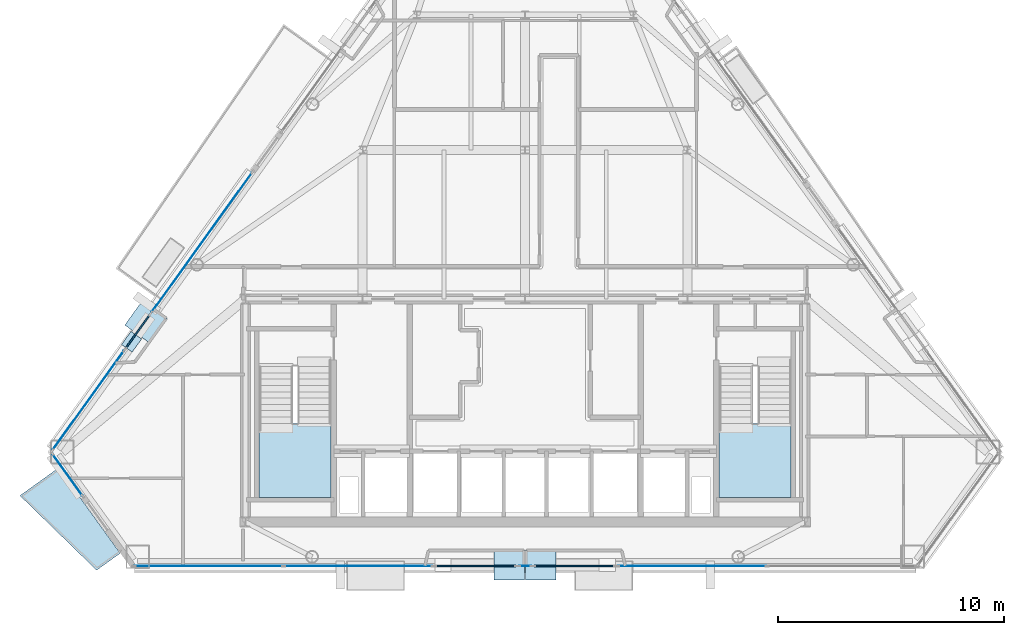
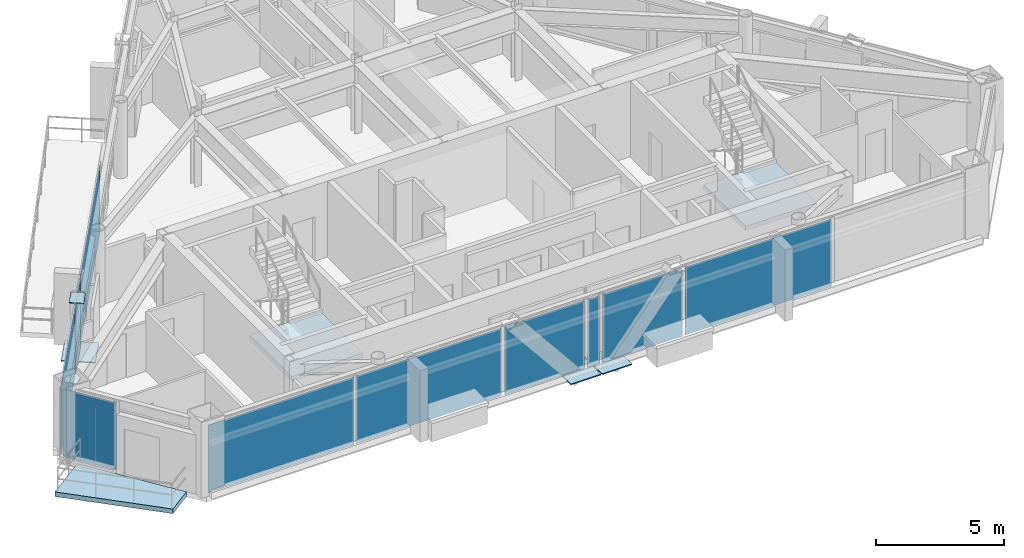
# One storey, part 6 of 12: 14 plates, 3 slabs, 11 elements without a shape of their own.
"""IFC4 building model written with IfcOpenShell, lengths in metres."""

from ifc_helpers import new_model, si_unit, direction, frame, origin, origin_2d, place, context, subcontext, project, spatial, polyline, rectangle, outline, extrude, source, transform, mapped, material, layer, layer_set, type_object, type_shapes, element, aggregate, save


model = new_model("IFC4")

# Units and contexts
model_context = context("Model", 3, precision=1e-05, world=origin(), true_north=direction((0.0, 1.0)))
body_context = subcontext(model_context, "Body", "Model", "MODEL_VIEW")
ifc_project = project(units=[si_unit("LENGTHUNIT", "METRE"), si_unit("AREAUNIT", "SQUARE_METRE"), si_unit("VOLUMEUNIT", "CUBIC_METRE"), si_unit("PLANEANGLEUNIT", "RADIAN"), si_unit("MASSUNIT", "GRAM", prefix="KILO")], contexts=[model_context])

# Site, building, storey
site_placement = place(None, origin())
site = spatial("IfcSite", under=ifc_project, at=site_placement, CompositionType="ELEMENT")
building_placement = place(site_placement, origin())
building = spatial("IfcBuilding", under=site, at=building_placement, Name="Talgorran Terracotta Tower", CompositionType="ELEMENT")
storey_placement = place(building_placement, frame((0.0, 0.0, 189.300048828125)))
storey = spatial("IfcBuildingStorey", under=building, at=storey_placement, Name="L49", CompositionType="ELEMENT", Elevation=189.300048828125)

# Plates
ifc_material_1 = material(Name="Steel Grade 350 (350L0)", Category="steel")
ifc_layer_1 = layer(ifc_material_1, 0.031982421875, Name="PL_CAP_MN07")
ifc_layer_set_1 = layer_set([ifc_layer_1], Name="Steel Grade 350 (350L0)")
plate_type_1 = type_object("IfcPlateType", Name="PL_CAP_MN07", PredefinedType="USERDEFINED", material=ifc_layer_set_1)
plate_1_placement = place(storey_placement, frame((-17.449462890625, -6.1015625, 3.32373046875), z_axis=(0.0, 0.0, 1.0), x_axis=(-0.583966337286, -0.811777874123, 0.0)))
element("IfcPlate", 1, at=plate_1_placement, inside=storey, type_object=plate_type_1, Name="L49 Diagonal Frame End Cap NWL Top", ObjectType="CAP PLATE", PredefinedType="USERDEFINED", context=body_context, shape_type="SweptSolid", body=[
    extrude(rectangle(XDim=0.719970703125, YDim=0.580078125, at=origin_2d()), origin(), (0.0, 0.0, 1.0), 0.031982421875),
])
ifc_layer_2 = layer(ifc_material_1, 0.050048828125, Name="PL_NODE_MN03")
ifc_layer_set_2 = layer_set([ifc_layer_2], Name="Steel Grade 350 (350L0)")
plate_type_2 = type_object("IfcPlateType", Name="PL_NODE_MN03", PredefinedType="USERDEFINED", material=ifc_layer_set_2)
for number, where, z_axis, x_axis, name in (
    (2, (-0.694580078125, -16.001220703125, -0.01513671875), (0.0, 0.0, 1.0), (-1.0, 0.0, 0.0), "L49 Diagonal Frame End Cap SWF Bot"),
    (3, (0.694580078125, -16.001220703125, -0.01513671875), (0.0, 0.0, 1.0), (1.0, 0.0, 0.0), "L49 Diagonal Frame End Cap SEF Bot"),
    (4, (-16.80810546875, -5.210205078125, -0.01513671875), (0.0, 0.0, 1.0), (-0.583966337286, -0.811777874123, 0.0), "L49 Diagonal Frame End Cap NWL Bot"),
):
    element("IfcPlate", number, at=place(storey_placement, frame(where, z_axis=z_axis, x_axis=x_axis)), inside=storey, type_object=plate_type_2, Name=name, ObjectType="NODE PLATE", PredefinedType="USERDEFINED", context=body_context, shape_type="SweptSolid", body=[
        extrude(rectangle(XDim=1.35009765625, YDim=1.35009765625, at=origin_2d()), origin(), (0.0, 0.0, 1.0), 0.050048828125),
    ])

# Slab
ifc_material_2 = material(Name="Concrete C40/50", Category="concrete")
ifc_layer_3 = layer(ifc_material_2, 0.219970703125, Name="SL_BALCONY_220")
ifc_layer_set_3 = layer_set([ifc_layer_3], Name="Concrete C40/50")
slab_type_1 = type_object("IfcSlabType", Name="SL_BALCONY_220", PredefinedType="FLOOR", material=ifc_layer_set_3)
slab_1_placement = place(storey_placement, frame((0.0, 0.0, -0.219970703125)))
element("IfcSlab", 5, at=slab_1_placement, inside=storey, type_object=slab_type_1, Name="L49 Outdoor Wave Balcony BAL-SW", PredefinedType="FLOOR", context=body_context, shape_type="SweptSolid", body=[
    extrude(outline(polyline([(-17.95458984375, -15.47998046875), (-20.680419921875, -11.69091796875), (-22.396240234375, -12.925048828125), (-18.99951171875, -16.2314453125), (-17.95458984375, -15.47998046875)])), origin(), (0.0, 0.0, 1.0), 0.219970703125),
])

# Stair, slab
stair_type = type_object("IfcStairType", Name="ST_FIRE_SCISSOR", PredefinedType="HALF_TURN_STAIR", material=ifc_material_2)
stair_1_placement = place(storey_placement, origin())
stair_1 = element("IfcStair", 6, at=stair_1_placement, inside=storey, type_object=stair_type, Name="L49 West Protected Fire Stair ST-01", PredefinedType="HALF_TURN_STAIR")
ifc_layer_4 = layer(ifc_material_2, 0.199951171875, Name="SL_LANDING_200")
ifc_layer_set_4 = layer_set([ifc_layer_4], Name="Concrete C40/50")
slab_type_2 = type_object("IfcSlabType", Name="SL_LANDING_200", PredefinedType="LANDING", material=ifc_layer_set_4)
slab_2_placement = place(storey_placement, frame((0.0, 0.0, 1.599853515625)))
slab_2 = element("IfcSlab", 7, at=slab_2_placement, type_object=slab_type_2, Name="ST-01 landing 1", PredefinedType="LANDING", context=body_context, shape_type="SweptSolid", body=[
    extrude(outline(polyline([(-11.800048828125, -9.719970703125), (-11.800048828125, -13.0), (-8.60009765625, -13.0), (-8.60009765625, -9.719970703125), (-11.800048828125, -9.719970703125)])), origin(), (0.0, 0.0, 1.0), 0.2001953125),
])
aggregate(stair_1, [slab_2])

stair_2_placement = place(storey_placement, origin())
stair_2 = element("IfcStair", 8, at=stair_2_placement, inside=storey, type_object=stair_type, Name="L49 East Protected Fire Stair ST-02", PredefinedType="HALF_TURN_STAIR")
slab_3_placement = place(storey_placement, frame((0.0, 0.0, 1.599853515625)))
slab_3 = element("IfcSlab", 9, at=slab_3_placement, type_object=slab_type_2, Name="ST-02 landing 1", PredefinedType="LANDING", context=body_context, shape_type="SweptSolid", body=[
    extrude(outline(polyline([(8.60009765625, -9.719970703125), (8.60009765625, -13.0), (11.800048828125, -13.0), (11.800048828125, -9.719970703125), (8.60009765625, -9.719970703125)])), origin(), (0.0, 0.0, 1.0), 0.2001953125),
])
aggregate(stair_2, [slab_3])

# Curtain wall, plate
ifc_material_3 = material(Name="High-Wind Unitised Glazing", Category="glass")
ifc_layer_5 = layer(ifc_material_3, 0.2099609375, Name="CW_SYS3_RES_HIGH")
ifc_layer_set_5 = layer_set([ifc_layer_5], Name="High-Wind Unitised Glazing")
curtain_wall_type = type_object("IfcCurtainWallType", Name="CW_SYS3_RES_HIGH", PredefinedType="NOTDEFINED", material=ifc_layer_set_5)
curtain_wall_1_placement = place(storey_placement, origin())
curtain_wall_1 = element("IfcCurtainWall", 10, at=curtain_wall_1_placement, inside=storey, type_object=curtain_wall_type, Name="CW-L49-F10", PredefinedType="NOTDEFINED")
ifc_material_4 = material(Name="High-Wind Acoustic Vision Glass", Category="glass")
ifc_layer_6 = layer(ifc_material_4, 0.031982421875, Name="PLT_VISION_32")
ifc_layer_set_6 = layer_set([ifc_layer_6], Name="High-Wind Acoustic Vision Glass")
plate_type_3 = type_object("IfcPlateType", Name="PLT_VISION_32", PredefinedType="CURTAIN_PANEL", material=ifc_layer_set_6)
shared_shape_1 = source(origin(), body_context, "Body", "SweptSolid", [
    extrude(rectangle(XDim=2.255126953125, YDim=0.031982421875, at=origin_2d()), origin(), (0.0, 0.0, 1.0), 3.2099609375),
])
plate_2_placement = place(storey_placement, frame((-20.294189453125, -11.996826171875, 0.070068359375), z_axis=(0.0, 0.0, 1.0), x_axis=(0.583975814679, -0.811771056314, 0.0)))
plate_2 = element("IfcPlate", 11, at=plate_2_placement, type_object=plate_type_3, Name="CW-L49-10 panel 1.1", PredefinedType="CURTAIN_PANEL", context=body_context, shape_type="MappedRepresentation", body=[
    mapped(shared_shape_1, transform((0.0, 0.0, 0.0), scale=1.0)),
])
aggregate(curtain_wall_1, [plate_2])

# Curtain wall, plates
curtain_wall_2_placement = place(storey_placement, origin())
curtain_wall_2 = element("IfcCurtainWall", 12, at=curtain_wall_2_placement, inside=storey, type_object=curtain_wall_type, Name="CW-L49-F1", PredefinedType="NOTDEFINED")
shared_shape_2 = source(origin(), body_context, "Body", "SweptSolid", [
    extrude(rectangle(XDim=6.558349609375, YDim=0.031982421875, at=origin_2d()), origin(), (0.0, 0.0, 1.0), 3.2099609375),
])
plate_3_placement = place(storey_placement, frame((-14.03564453125, -16.041015625, 0.070068359375), z_axis=(0.0, 0.0, 1.0), x_axis=(1.0, 0.0, 0.0)))
plate_3 = element("IfcPlate", 13, at=plate_3_placement, type_object=plate_type_3, Name="CW-L49-1 panel 1.1", PredefinedType="CURTAIN_PANEL", context=body_context, shape_type="MappedRepresentation", body=[
    mapped(shared_shape_2, transform((0.0, 0.0, 0.0), scale=1.0)),
])
plate_4_placement = place(storey_placement, frame((-7.4072265625, -16.041015625, 0.070068359375), z_axis=(0.0, 0.0, 1.0), x_axis=(1.0, 0.0, 0.0)))
plate_4 = element("IfcPlate", 14, at=plate_4_placement, type_object=plate_type_3, Name="CW-L49-1 panel 2.1", PredefinedType="CURTAIN_PANEL", context=body_context, shape_type="MappedRepresentation", body=[
    mapped(shared_shape_2, transform((0.0, 0.0, 0.0), scale=1.0)),
])
aggregate(curtain_wall_2, [plate_3, plate_4])

# Curtain wall, plate
curtain_wall_3_placement = place(storey_placement, origin())
curtain_wall_3 = element("IfcCurtainWall", 15, at=curtain_wall_3_placement, inside=storey, type_object=curtain_wall_type, Name="CW-L49-F1E", PredefinedType="NOTDEFINED")
plate_5_placement = place(storey_placement, frame((7.4072265625, -16.041015625, 0.070068359375), z_axis=(0.0, 0.0, 1.0), x_axis=(1.0, 0.0, 0.0)))
plate_5 = element("IfcPlate", 16, at=plate_5_placement, type_object=plate_type_3, Name="CW-L49-1E panel 1.1", PredefinedType="CURTAIN_PANEL", context=body_context, shape_type="MappedRepresentation", body=[
    mapped(shared_shape_2, transform((0.0, 0.0, 0.0), scale=1.0)),
])
aggregate(curtain_wall_3, [plate_5])

curtain_wall_4_placement = place(storey_placement, origin())
curtain_wall_4 = element("IfcCurtainWall", 17, at=curtain_wall_4_placement, inside=storey, type_object=curtain_wall_type, Name="CW-L49-F1B", PredefinedType="NOTDEFINED")
ifc_material_5 = material(Name="Terracotta Insulated Spandrel", Category="masonry")
ifc_layer_7 = layer(ifc_material_5, 0.06494140625, Name="PLT_SPANDREL_TERRA")
ifc_layer_set_7 = layer_set([ifc_layer_7], Name="Terracotta Insulated Spandrel")
plate_type_4 = type_object("IfcPlateType", Name="PLT_SPANDREL_TERRA", PredefinedType="SHEET", material=ifc_layer_set_7)
shared_shape_3 = source(origin(), body_context, "Body", "SweptSolid", [
    extrude(rectangle(XDim=3.564453125, YDim=0.06494140625, at=origin_2d()), origin(), (0.0, 0.0, 1.0), 3.2099609375),
])
plate_6_placement = place(storey_placement, frame((-2.19580078125, -16.041015625, 0.070068359375), z_axis=(0.0, 0.0, 1.0), x_axis=(1.0, 0.0, 0.0)))
plate_6 = element("IfcPlate", 18, at=plate_6_placement, type_object=plate_type_4, Name="CW-L49-1B panel 1.1", PredefinedType="CURTAIN_PANEL", context=body_context, shape_type="MappedRepresentation", body=[
    mapped(shared_shape_3, transform((0.0, 0.0, 0.0), scale=1.0)),
])
aggregate(curtain_wall_4, [plate_6])

curtain_wall_5_placement = place(storey_placement, origin())
curtain_wall_5 = element("IfcCurtainWall", 19, at=curtain_wall_5_placement, inside=storey, type_object=curtain_wall_type, Name="CW-L49-F1D", PredefinedType="NOTDEFINED")
plate_7_placement = place(storey_placement, frame((2.19580078125, -16.041015625, 0.070068359375), z_axis=(0.0, 0.0, 1.0), x_axis=(1.0, 0.0, 0.0)))
plate_7 = element("IfcPlate", 20, at=plate_7_placement, type_object=plate_type_4, Name="CW-L49-1D panel 1.1", PredefinedType="CURTAIN_PANEL", context=body_context, shape_type="MappedRepresentation", body=[
    mapped(shared_shape_3, transform((0.0, 0.0, 0.0), scale=1.0)),
])
aggregate(curtain_wall_5, [plate_7])

curtain_wall_6_placement = place(storey_placement, origin())
curtain_wall_6 = element("IfcCurtainWall", 21, at=curtain_wall_6_placement, inside=storey, type_object=curtain_wall_type, Name="CW-L49-F1C", PredefinedType="NOTDEFINED")
shared_shape_4 = source(origin(), body_context, "Body", "SweptSolid", [
    extrude(rectangle(XDim=0.527099609375, YDim=0.031982421875, at=origin_2d()), origin(), (0.0, 0.0, 1.0), 3.2099609375),
])
plate_8_placement = place(storey_placement, frame((0.0, -16.041015625, 0.070068359375), z_axis=(0.0, 0.0, 1.0), x_axis=(1.0, 0.0, 0.0)))
plate_8 = element("IfcPlate", 22, at=plate_8_placement, type_object=plate_type_3, Name="CW-L49-1C panel 1.1", PredefinedType="CURTAIN_PANEL", context=body_context, shape_type="MappedRepresentation", body=[
    mapped(shared_shape_4, transform((0.0, 0.0, 0.0), scale=1.0)),
])
aggregate(curtain_wall_6, [plate_8])

curtain_wall_7_placement = place(storey_placement, origin())
curtain_wall_7 = element("IfcCurtainWall", 23, at=curtain_wall_7_placement, inside=storey, type_object=curtain_wall_type, Name="CW-L49-F61C", PredefinedType="NOTDEFINED")
shared_shape_5 = source(origin(), body_context, "Body", "SweptSolid", [
    extrude(rectangle(XDim=5.40234375, YDim=0.031982421875, at=origin_2d()), origin(), (0.0, 0.0, 1.0), 3.2099609375),
])
plate_9_placement = place(storey_placement, frame((-19.375244140625, -8.710205078125, 0.070068359375), z_axis=(0.0, 0.0, 1.0), x_axis=(-0.583986215516, -0.811763574008, 0.0)))
plate_9 = element("IfcPlate", 24, at=plate_9_placement, type_object=plate_type_3, Name="CW-L49-61C panel 1.1", PredefinedType="CURTAIN_PANEL", context=body_context, shape_type="MappedRepresentation", body=[
    mapped(shared_shape_5, transform((0.0, 0.0, 0.0), scale=1.0)),
])
aggregate(curtain_wall_7, [plate_9])

curtain_wall_8_placement = place(storey_placement, origin())
curtain_wall_8 = element("IfcCurtainWall", 25, at=curtain_wall_8_placement, inside=storey, type_object=curtain_wall_type, Name="CW-L49-F61B", PredefinedType="NOTDEFINED")
shared_shape_6 = source(origin(), body_context, "Body", "SweptSolid", [
    extrude(rectangle(XDim=1.8271484375, YDim=0.06494140625, at=origin_2d()), origin(), (0.0, 0.0, 1.0), 3.2099609375),
])
type_shapes(plate_type_4, [shared_shape_3, shared_shape_6])
plate_10_placement = place(storey_placement, frame((-17.1767578125, -5.654052734375, 0.070068359375), z_axis=(0.0, 0.0, 1.0), x_axis=(-0.584014102424, -0.81174351132, 0.0)))
plate_10 = element("IfcPlate", 26, at=plate_10_placement, type_object=plate_type_4, Name="CW-L49-61B panel 1.1", PredefinedType="CURTAIN_PANEL", context=body_context, shape_type="MappedRepresentation", body=[
    mapped(shared_shape_6, transform((0.0, 0.0, 0.0), scale=1.0)),
])
aggregate(curtain_wall_8, [plate_10])

curtain_wall_9_placement = place(storey_placement, origin())
curtain_wall_9 = element("IfcCurtainWall", 27, at=curtain_wall_9_placement, inside=storey, type_object=curtain_wall_type, Name="CW-L49-F61", PredefinedType="NOTDEFINED")
shared_shape_7 = source(origin(), body_context, "Body", "SweptSolid", [
    extrude(rectangle(XDim=7.61328125, YDim=0.031982421875, at=origin_2d()), origin(), (0.0, 0.0, 1.0), 3.2099609375),
])
type_shapes(plate_type_3, [shared_shape_1, shared_shape_2, shared_shape_4, shared_shape_5, shared_shape_7])
plate_11_placement = place(storey_placement, frame((-14.33251953125, -1.700439453125, 0.070068359375), z_axis=(0.0, 0.0, 1.0), x_axis=(-0.583981218088, -0.811767169157, 0.0)))
plate_11 = element("IfcPlate", 28, at=plate_11_placement, type_object=plate_type_3, Name="CW-L49-61 panel 1.1", PredefinedType="CURTAIN_PANEL", context=body_context, shape_type="MappedRepresentation", body=[
    mapped(shared_shape_7, transform((0.0, 0.0, 0.0), scale=1.0)),
])
aggregate(curtain_wall_9, [plate_11])

save(model, "model.ifc")
